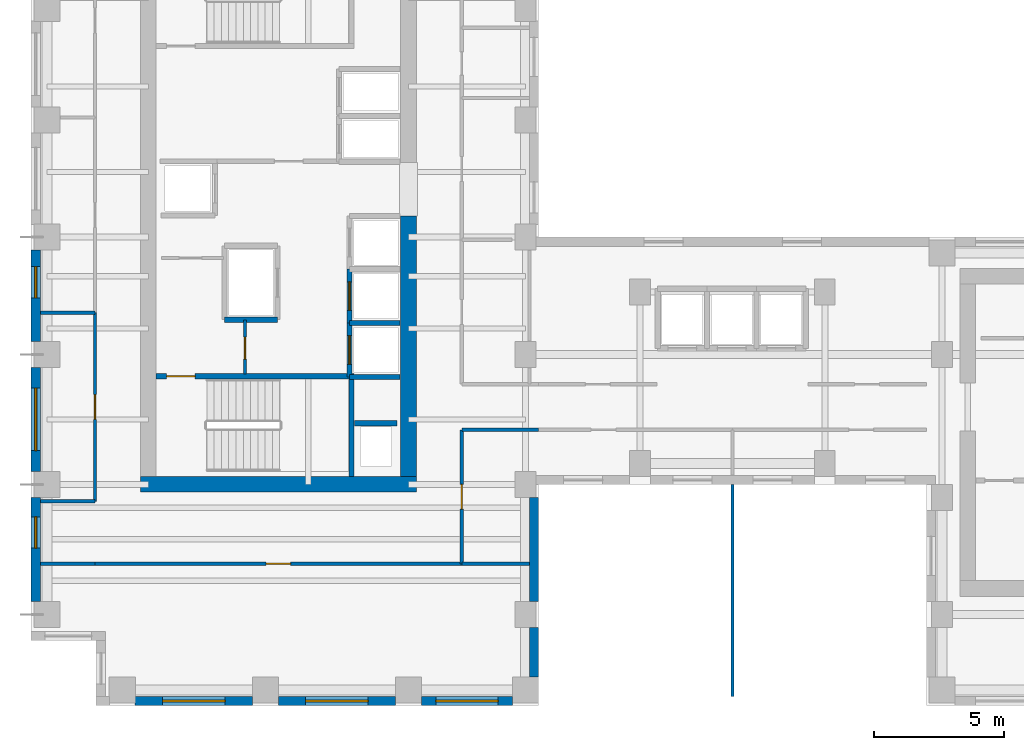
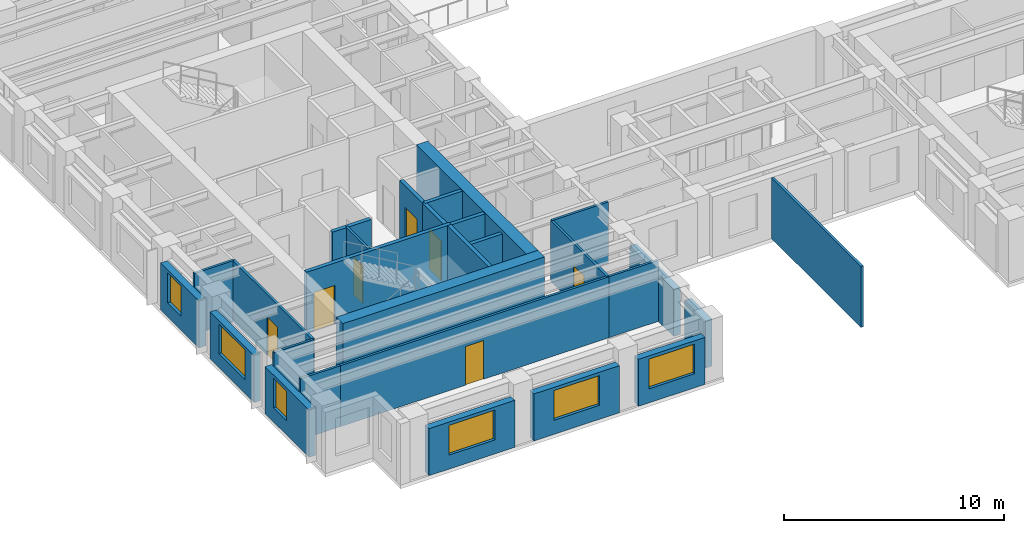
# One storey, part 3 of 11: 28 walls, 7 doors, 6 windows, 13 openings.
"""IFC4 building model written with IfcOpenShell, lengths in metres."""

from ifc_helpers import new_model, si_unit, direction, frame, frame_2d, origin, place, context, subcontext, project, spatial, rectangle, extrude, source, transform, mapped, material, layer, layer_set, type_object, element, fill, save


model = new_model("IFC4")

# Units and contexts
model_context = context("Model", 3, precision=1e-05, world=origin(), true_north=direction((0.0, 1.0)))
body_context = subcontext(model_context, "Body", "Model", "MODEL_VIEW")
ifc_project = project(units=[si_unit("LENGTHUNIT", "METRE"), si_unit("AREAUNIT", "SQUARE_METRE"), si_unit("VOLUMEUNIT", "CUBIC_METRE"), si_unit("PLANEANGLEUNIT", "RADIAN"), si_unit("MASSUNIT", "GRAM", prefix="KILO")], contexts=[model_context])

# Site, building, storey
site_placement = place(None, origin())
site = spatial("IfcSite", under=ifc_project, at=site_placement, CompositionType="ELEMENT")
building_placement = place(site_placement, origin())
building = spatial("IfcBuilding", under=site, at=building_placement, Name="Kharzan Plaza Tower", CompositionType="ELEMENT")
storey_placement = place(building_placement, frame((0.0, 0.0, 171.89990234375)))
storey = spatial("IfcBuildingStorey", under=building, at=storey_placement, Name="L46", CompositionType="ELEMENT", Elevation=171.89990234375)

# Wall, opening, window
ifc_material_1 = material(Name="Concrete C40/50", Category="concrete")
ifc_layer_1 = layer(ifc_material_1, 0.35009765625)
ifc_layer_set_1 = layer_set([ifc_layer_1], Name="Concrete C40/50")
wall_type_1 = type_object("IfcWallType", Name="WL-EXT-MAS-Z3", PredefinedType="SOLIDWALL", material=ifc_layer_set_1)
wall_1_placement = place(storey_placement, frame((0.175048828125, 17.501953125, 0.0), z_axis=(0.0, 0.0, 1.0), x_axis=(0.0, -1.0, 0.0)))
wall_1 = element("IfcWall", 1, at=wall_1_placement, inside=storey, type_object=wall_type_1, Name="L46 Masonry-Frame Exterior Wall 15", PredefinedType="SOLIDWALL", context=body_context, shape_type="SweptSolid", body=[
    extrude(rectangle(XDim=3.50390625, YDim=0.35009765625, at=frame_2d((1.751953125, 0.0))), origin(), (0.0, 0.0, 1.0), 2.612060546875),
])
opening_1_placement = place(wall_1_placement, frame((0.635986328125, 0.0, 0.780029296875)))
opening_1 = element("IfcOpeningElement", 2, at=opening_1_placement, cuts=wall_1, Name="Opening W3", PredefinedType="OPENING", context=body_context, shape_type="SweptSolid", body=[
    extrude(rectangle(XDim=1.199951171875, YDim=1.652099609375, at=frame_2d((0.60009765625, 0.826171875))), frame((0.0, 0.18505859375, 0.0), z_axis=(0.0, -1.0, 0.0), x_axis=(1.0, 0.0, 0.0)), (0.0, 0.0, 1.0), 0.3701171875),
])
ifc_material_2 = material(Name="Low-E Double Glazing", Category="glass")
window_type_1 = type_object("IfcWindowType", Name="WN-REC-1200x2100", PartitioningType="SINGLE_PANEL", PredefinedType="WINDOW", material=ifc_material_2)
shared_shape_1 = source(origin(), body_context, "Body", "SweptSolid", [
    extrude(rectangle(XDim=1.199951171875, YDim=1.652099609375, at=frame_2d((0.60009765625, 0.826171875))), frame((0.0, 0.030029296875, 0.0), z_axis=(0.0, -1.0, 0.0), x_axis=(1.0, 0.0, 0.0)), (0.0, 0.0, 1.0), 0.06005859375),
])
window_1_placement = place(opening_1_placement, origin())
window_1 = element("IfcWindow", 3, at=window_1_placement, inside=storey, type_object=window_type_1, Name="L46 Recessed Solar-Control Window 15-1", OverallHeight=1.652099609375, OverallWidth=1.199951171875, PartitioningType="SINGLE_PANEL", PredefinedType="WINDOW", context=body_context, shape_type="MappedRepresentation", body=[
    mapped(shared_shape_1, transform((0.0, 0.0, 0.0), x_axis=(1.0, 0.0, 0.0), y_axis=(0.0, 1.0, 0.0), z_axis=(0.0, 0.0, 1.0))),
])
fill(opening_1, window_1)

wall_2_placement = place(storey_placement, frame((0.175048828125, 13.001953125, 0.0), z_axis=(0.0, 0.0, 1.0), x_axis=(0.0, -1.0, 0.0)))
wall_2 = element("IfcWall", 4, at=wall_2_placement, inside=storey, type_object=wall_type_1, Name="L46 Masonry-Frame Exterior Wall 16", PredefinedType="SOLIDWALL", context=body_context, shape_type="SweptSolid", body=[
    extrude(rectangle(XDim=4.00390625, YDim=0.35009765625, at=frame_2d((2.001953125, 0.0))), origin(), (0.0, 0.0, 1.0), 2.612060546875),
])
opening_2_placement = place(wall_2_placement, frame((0.802001953125, 0.0, 0.780029296875)))
opening_2 = element("IfcOpeningElement", 5, at=opening_2_placement, cuts=wall_2, Name="Opening W2", PredefinedType="OPENING", context=body_context, shape_type="SweptSolid", body=[
    extrude(rectangle(XDim=2.39990234375, YDim=1.652099609375, at=frame_2d((1.199951171875, 0.826171875))), frame((0.0, 0.18505859375, 0.0), z_axis=(0.0, -1.0, 0.0), x_axis=(1.0, 0.0, 0.0)), (0.0, 0.0, 1.0), 0.3701171875),
])
window_type_2 = type_object("IfcWindowType", Name="WN-REC-2400x2100", PartitioningType="SINGLE_PANEL", PredefinedType="WINDOW", material=ifc_material_2)
shared_shape_2 = source(origin(), body_context, "Body", "SweptSolid", [
    extrude(rectangle(XDim=2.39990234375, YDim=1.652099609375, at=frame_2d((1.199951171875, 0.826171875))), frame((0.0, 0.030029296875, 0.0), z_axis=(0.0, -1.0, 0.0), x_axis=(1.0, 0.0, 0.0)), (0.0, 0.0, 1.0), 0.06005859375),
])
window_2_placement = place(opening_2_placement, origin())
window_2 = element("IfcWindow", 6, at=window_2_placement, inside=storey, type_object=window_type_2, Name="L46 Wide Recessed Solar-Control Window 16-1", OverallHeight=1.652099609375, OverallWidth=2.39990234375, PartitioningType="SINGLE_PANEL", PredefinedType="WINDOW", context=body_context, shape_type="MappedRepresentation", body=[
    mapped(shared_shape_2, transform((0.0, 0.0, 0.0), x_axis=(1.0, 0.0, 0.0), y_axis=(0.0, 1.0, 0.0), z_axis=(0.0, 0.0, 1.0))),
])
fill(opening_2, window_2)

wall_3_placement = place(storey_placement, frame((0.175048828125, 8.001953125, 0.0), z_axis=(0.0, 0.0, 1.0), x_axis=(0.0, -1.0, 0.0)))
wall_3 = element("IfcWall", 7, at=wall_3_placement, inside=storey, type_object=wall_type_1, Name="L46 Masonry-Frame Exterior Wall 17", PredefinedType="SOLIDWALL", context=body_context, shape_type="SweptSolid", body=[
    extrude(rectangle(XDim=4.00390625, YDim=0.35009765625, at=frame_2d((2.001953125, 0.0))), origin(), (0.0, 0.0, 1.0), 2.612060546875),
])
opening_3_placement = place(wall_3_placement, frame((0.751953125, 0.0, 0.780029296875)))
opening_3 = element("IfcOpeningElement", 8, at=opening_3_placement, cuts=wall_3, Name="Opening W3", PredefinedType="OPENING", context=body_context, shape_type="SweptSolid", body=[
    extrude(rectangle(XDim=1.199951171875, YDim=1.652099609375, at=frame_2d((0.60009765625, 0.826171875))), frame((0.0, 0.18505859375, 0.0), z_axis=(0.0, -1.0, 0.0), x_axis=(1.0, 0.0, 0.0)), (0.0, 0.0, 1.0), 0.3701171875),
])
window_3_placement = place(opening_3_placement, origin())
window_3 = element("IfcWindow", 9, at=window_3_placement, inside=storey, type_object=window_type_1, Name="L46 Recessed Solar-Control Window 17-1", OverallHeight=1.652099609375, OverallWidth=1.199951171875, PartitioningType="SINGLE_PANEL", PredefinedType="WINDOW", context=body_context, shape_type="MappedRepresentation", body=[
    mapped(shared_shape_1, transform((0.0, 0.0, 0.0), x_axis=(1.0, 0.0, 0.0), y_axis=(0.0, 1.0, 0.0), z_axis=(0.0, 0.0, 1.0))),
])
fill(opening_3, window_3)

wall_4_placement = place(storey_placement, frame((3.998046875, 0.175048828125, 0.0), z_axis=(0.0, 0.0, 1.0), x_axis=(1.0, 0.0, 0.0)))
wall_4 = element("IfcWall", 10, at=wall_4_placement, inside=storey, type_object=wall_type_1, Name="L46 Masonry-Frame Exterior Wall 21", PredefinedType="SOLIDWALL", context=body_context, shape_type="SweptSolid", body=[
    extrude(rectangle(XDim=4.50390625, YDim=0.35009765625, at=frame_2d((2.251953125, 0.0))), origin(), (0.0, 0.0, 1.0), 2.612060546875),
])
opening_4_placement = place(wall_4_placement, frame((1.052001953125, 0.0, 0.780029296875)))
opening_4 = element("IfcOpeningElement", 11, at=opening_4_placement, cuts=wall_4, Name="Opening W2", PredefinedType="OPENING", context=body_context, shape_type="SweptSolid", body=[
    extrude(rectangle(XDim=2.39990234375, YDim=1.652099609375, at=frame_2d((1.199951171875, 0.826171875))), frame((0.0, 0.18505859375, 0.0), z_axis=(0.0, -1.0, 0.0), x_axis=(1.0, 0.0, 0.0)), (0.0, 0.0, 1.0), 0.3701171875),
])
window_4_placement = place(opening_4_placement, origin())
window_4 = element("IfcWindow", 12, at=window_4_placement, inside=storey, type_object=window_type_2, Name="L46 Wide Recessed Solar-Control Window 21-1", OverallHeight=1.652099609375, OverallWidth=2.39990234375, PartitioningType="SINGLE_PANEL", PredefinedType="WINDOW", context=body_context, shape_type="MappedRepresentation", body=[
    mapped(shared_shape_2, transform((0.0, 0.0, 0.0), x_axis=(1.0, 0.0, 0.0), y_axis=(0.0, 1.0, 0.0), z_axis=(0.0, 0.0, 1.0))),
])
fill(opening_4, window_4)

wall_5_placement = place(storey_placement, frame((9.498046875, 0.175048828125, 0.0), z_axis=(0.0, 0.0, 1.0), x_axis=(1.0, 0.0, 0.0)))
wall_5 = element("IfcWall", 13, at=wall_5_placement, inside=storey, type_object=wall_type_1, Name="L46 Masonry-Frame Exterior Wall 22", PredefinedType="SOLIDWALL", context=body_context, shape_type="SweptSolid", body=[
    extrude(rectangle(XDim=4.50390625, YDim=0.35009765625, at=frame_2d((2.251953125, 0.0))), origin(), (0.0, 0.0, 1.0), 2.612060546875),
])
opening_5_placement = place(wall_5_placement, frame((1.052001953125, 0.0, 0.780029296875)))
opening_5 = element("IfcOpeningElement", 14, at=opening_5_placement, cuts=wall_5, Name="Opening W2", PredefinedType="OPENING", context=body_context, shape_type="SweptSolid", body=[
    extrude(rectangle(XDim=2.39990234375, YDim=1.652099609375, at=frame_2d((1.199951171875, 0.826171875))), frame((0.0, 0.18505859375, 0.0), z_axis=(0.0, -1.0, 0.0), x_axis=(1.0, 0.0, 0.0)), (0.0, 0.0, 1.0), 0.3701171875),
])
window_5_placement = place(opening_5_placement, origin())
window_5 = element("IfcWindow", 15, at=window_5_placement, inside=storey, type_object=window_type_2, Name="L46 Wide Recessed Solar-Control Window 22-1", OverallHeight=1.652099609375, OverallWidth=2.39990234375, PartitioningType="SINGLE_PANEL", PredefinedType="WINDOW", context=body_context, shape_type="MappedRepresentation", body=[
    mapped(shared_shape_2, transform((0.0, 0.0, 0.0), x_axis=(1.0, 0.0, 0.0), y_axis=(0.0, 1.0, 0.0), z_axis=(0.0, 0.0, 1.0))),
])
fill(opening_5, window_5)

wall_6_placement = place(storey_placement, frame((14.998046875, 0.175048828125, 0.0), z_axis=(0.0, 0.0, 1.0), x_axis=(1.0, 0.0, 0.0)))
wall_6 = element("IfcWall", 16, at=wall_6_placement, inside=storey, type_object=wall_type_1, Name="L46 Masonry-Frame Exterior Wall 23", PredefinedType="SOLIDWALL", context=body_context, shape_type="SweptSolid", body=[
    extrude(rectangle(XDim=3.50390625, YDim=0.35009765625, at=frame_2d((1.751953125, 0.0))), origin(), (0.0, 0.0, 1.0), 2.612060546875),
])
opening_6_placement = place(wall_6_placement, frame((0.552001953125, 0.0, 0.780029296875)))
opening_6 = element("IfcOpeningElement", 17, at=opening_6_placement, cuts=wall_6, Name="Opening W2", PredefinedType="OPENING", context=body_context, shape_type="SweptSolid", body=[
    extrude(rectangle(XDim=2.39990234375, YDim=1.652099609375, at=frame_2d((1.199951171875, 0.826171875))), frame((0.0, 0.18505859375, 0.0), z_axis=(0.0, -1.0, 0.0), x_axis=(1.0, 0.0, 0.0)), (0.0, 0.0, 1.0), 0.3701171875),
])
window_6_placement = place(opening_6_placement, origin())
window_6 = element("IfcWindow", 18, at=window_6_placement, inside=storey, type_object=window_type_2, Name="L46 Wide Recessed Solar-Control Window 23-1", OverallHeight=1.652099609375, OverallWidth=2.39990234375, PartitioningType="SINGLE_PANEL", PredefinedType="WINDOW", context=body_context, shape_type="MappedRepresentation", body=[
    mapped(shared_shape_2, transform((0.0, 0.0, 0.0), x_axis=(1.0, 0.0, 0.0), y_axis=(0.0, 1.0, 0.0), z_axis=(0.0, 0.0, 1.0))),
])
fill(opening_6, window_6)

# Wall, opening, door
ifc_material_3 = material(Name="Fire-Rated Gypsum Board Partition", Category="gypsum")
ifc_layer_2 = layer(ifc_material_3, 0.125)
ifc_layer_set_2 = layer_set([ifc_layer_2], Name="Fire-Rated Gypsum Board Partition")
wall_type_2 = type_object("IfcWallType", Name="WL-INT-PART-125", PredefinedType="PARTITIONING", material=ifc_layer_set_2)
wall_7_placement = place(storey_placement, frame((8.219970703125, 12.75, 0.0), z_axis=(0.0, 0.0, 1.0), x_axis=(0.0, 1.0, 0.0)))
wall_7 = element("IfcWall", 19, at=wall_7_placement, inside=storey, type_object=wall_type_2, Name="L46 Interior Partition CA-K1E", PredefinedType="PARTITIONING", context=body_context, shape_type="SweptSolid", body=[
    extrude(rectangle(XDim=2.070068359375, YDim=0.125, at=frame_2d((1.03515625, 0.0))), origin(), (0.0, 0.0, 1.0), 3.385009765625),
])
opening_7_placement = place(wall_7_placement, frame((0.56005859375, 0.0, 0.0)))
opening_7 = element("IfcOpeningElement", 20, at=opening_7_placement, cuts=wall_7, Name="Opening RD1", PredefinedType="OPENING", context=body_context, shape_type="SweptSolid", body=[
    extrude(rectangle(XDim=0.85009765625, YDim=2.10009765625, at=frame_2d((0.425048828125, 1.050048828125))), frame((0.0, 0.072509765625, 0.0), z_axis=(0.0, -1.0, 0.0), x_axis=(1.0, 0.0, 0.0)), (0.0, 0.0, 1.0), 0.14501953125),
])
ifc_material_4 = material(Name="Powder-Coated Fire-Rated Steel", Category="steel")
door_type_1 = type_object("IfcDoorType", Name="DR-RISER-900", OperationType="NOTDEFINED", PredefinedType="DOOR", material=ifc_material_4)
shared_shape_3 = source(origin(), body_context, "Body", "SweptSolid", [
    extrude(rectangle(XDim=0.85009765625, YDim=2.10009765625, at=frame_2d((0.425048828125, 1.050048828125))), frame((0.0, 0.02490234375, 0.0), z_axis=(0.0, -1.0, 0.0), x_axis=(1.0, 0.0, 0.0)), (0.0, 0.0, 1.0), 0.050048828125),
])
door_1_placement = place(opening_7_placement, origin())
door_1 = element("IfcDoor", 21, at=door_1_placement, inside=storey, type_object=door_type_1, Name="L46 Core Service Store Door", OperationType="SINGLE_SWING_LEFT", OverallHeight=2.10009765625, OverallWidth=0.85009765625, PredefinedType="DOOR", context=body_context, shape_type="MappedRepresentation", body=[
    mapped(shared_shape_3, transform((0.0, 0.0, 0.0), x_axis=(1.0, 0.0, 0.0), y_axis=(0.0, 1.0, 0.0), z_axis=(0.0, 0.0, 1.0))),
])
fill(opening_7, door_1)

wall_8_placement = place(storey_placement, frame((16.550048828125, 5.449951171875, 0.0), z_axis=(0.0, 0.0, 1.0), x_axis=(0.0, 1.0, 0.0)))
wall_8 = element("IfcWall", 22, at=wall_8_placement, inside=storey, type_object=wall_type_2, Name="L46 Interior Partition SH-AEWS", PredefinedType="PARTITIONING", context=body_context, shape_type="SweptSolid", body=[
    extrude(rectangle(XDim=5.150146484375, YDim=0.125, at=frame_2d((2.5751953125, 0.0))), origin(), (0.0, 0.0, 1.0), 3.385009765625),
])
opening_8_placement = place(wall_8_placement, frame((2.10009765625, 0.0, 0.0)))
opening_8 = element("IfcOpeningElement", 23, at=opening_8_placement, cuts=wall_8, Name="Opening OD1", PredefinedType="OPENING", context=body_context, shape_type="SweptSolid", body=[
    extrude(rectangle(XDim=0.949951171875, YDim=2.14990234375, at=frame_2d((0.47509765625, 1.074951171875))), frame((0.0, 0.072509765625, 0.0), z_axis=(0.0, -1.0, 0.0), x_axis=(1.0, 0.0, 0.0)), (0.0, 0.0, 1.0), 0.14501953125),
])
ifc_material_5 = material(Name="Acoustic Solid-Core Stained Oak", Category="timber")
door_type_2 = type_object("IfcDoorType", Name="DR-OFF-SINGLE", OperationType="NOTDEFINED", PredefinedType="DOOR", material=ifc_material_5)
shared_shape_4 = source(origin(), body_context, "Body", "SweptSolid", [
    extrude(rectangle(XDim=0.949951171875, YDim=2.14990234375, at=frame_2d((0.47509765625, 1.074951171875))), frame((0.0, 0.02490234375, 0.0), z_axis=(0.0, -1.0, 0.0), x_axis=(1.0, 0.0, 0.0)), (0.0, 0.0, 1.0), 0.050048828125),
])
door_2_placement = place(opening_8_placement, origin())
door_2 = element("IfcDoor", 24, at=door_2_placement, inside=storey, type_object=door_type_2, Name="L46 Slot South Office Door", OperationType="SINGLE_SWING_LEFT", OverallHeight=2.14990234375, OverallWidth=0.949951171875, PredefinedType="DOOR", context=body_context, shape_type="MappedRepresentation", body=[
    mapped(shared_shape_4, transform((0.0, 0.0, 0.0), x_axis=(1.0, 0.0, 0.0), y_axis=(0.0, 1.0, 0.0), z_axis=(0.0, 0.0, 1.0))),
])
fill(opening_8, door_2)

wall_9_placement = place(storey_placement, frame((2.449951171875, 5.449951171875, 0.0), z_axis=(0.0, 0.0, 1.0), x_axis=(1.0, 0.0, 0.0)))
wall_9 = element("IfcWall", 25, at=wall_9_placement, inside=storey, type_object=wall_type_2, Name="L46 Interior Partition SH-SS-1", PredefinedType="PARTITIONING", context=body_context, shape_type="SweptSolid", body=[
    extrude(rectangle(XDim=14.10009765625, YDim=0.125, at=frame_2d((7.050048828125, 0.0))), origin(), (0.0, 0.0, 1.0), 3.385009765625),
])
opening_9_placement = place(wall_9_placement, frame((6.574951171875, 0.0, 0.0)))
opening_9 = element("IfcOpeningElement", 26, at=opening_9_placement, cuts=wall_9, Name="Opening OD1", PredefinedType="OPENING", context=body_context, shape_type="SweptSolid", body=[
    extrude(rectangle(XDim=0.949951171875, YDim=2.14990234375, at=frame_2d((0.47509765625, 1.074951171875))), frame((0.0, 0.072509765625, 0.0), z_axis=(0.0, -1.0, 0.0), x_axis=(1.0, 0.0, 0.0)), (0.0, 0.0, 1.0), 0.14501953125),
])
door_3_placement = place(opening_9_placement, origin())
door_3 = element("IfcDoor", 27, at=door_3_placement, inside=storey, type_object=door_type_2, Name="L46 Staff Tea Pantry Door", OperationType="SINGLE_SWING_RIGHT", OverallHeight=2.14990234375, OverallWidth=0.949951171875, PredefinedType="DOOR", context=body_context, shape_type="MappedRepresentation", body=[
    mapped(shared_shape_4, transform((0.0, 0.0, 0.0), x_axis=(1.0, 0.0, 0.0), y_axis=(0.0, 1.0, 0.0), z_axis=(0.0, 0.0, 1.0))),
])
fill(opening_9, door_3)

wall_10_placement = place(storey_placement, frame((2.449951171875, 7.85009765625, 0.0), z_axis=(0.0, 0.0, 1.0), x_axis=(0.0, 1.0, 0.0)))
wall_10 = element("IfcWall", 28, at=wall_10_placement, inside=storey, type_object=wall_type_2, Name="L46 Interior Partition SH-WW-1", PredefinedType="PARTITIONING", context=body_context, shape_type="SweptSolid", body=[
    extrude(rectangle(XDim=7.25, YDim=0.125, at=frame_2d((3.625, 0.0))), origin(), (0.0, 0.0, 1.0), 3.385009765625),
])
opening_10_placement = place(wall_10_placement, frame((3.14990234375, 0.0, 0.0)))
opening_10 = element("IfcOpeningElement", 29, at=opening_10_placement, cuts=wall_10, Name="Opening OD1", PredefinedType="OPENING", context=body_context, shape_type="SweptSolid", body=[
    extrude(rectangle(XDim=0.949951171875, YDim=2.14990234375, at=frame_2d((0.47509765625, 1.074951171875))), frame((0.0, 0.072509765625, 0.0), z_axis=(0.0, -1.0, 0.0), x_axis=(1.0, 0.0, 0.0)), (0.0, 0.0, 1.0), 0.14501953125),
])
door_4_placement = place(opening_10_placement, origin())
door_4 = element("IfcDoor", 30, at=door_4_placement, inside=storey, type_object=door_type_2, Name="L46 Client Briefing Room Door", OperationType="SINGLE_SWING_LEFT", OverallHeight=2.14990234375, OverallWidth=0.949951171875, PredefinedType="DOOR", context=body_context, shape_type="MappedRepresentation", body=[
    mapped(shared_shape_4, transform((0.0, 0.0, 0.0), x_axis=(1.0, 0.0, 0.0), y_axis=(0.0, 1.0, 0.0), z_axis=(0.0, 0.0, 1.0))),
])
fill(opening_10, door_4)

ifc_layer_3 = layer(ifc_material_1, 0.199951171875)
ifc_layer_set_3 = layer_set([ifc_layer_3], Name="Concrete C40/50")
wall_type_3 = type_object("IfcWallType", Name="WL-INT-SHAFT-200", PredefinedType="PARTITIONING", material=ifc_layer_set_3)
wall_11_placement = place(storey_placement, frame((12.22998046875, 12.6298828125, 0.0), z_axis=(0.0, 0.0, 1.0), x_axis=(0.0, 1.0, 0.0)))
wall_11 = element("IfcWall", 31, at=wall_11_placement, inside=storey, type_object=wall_type_3, Name="L46 Interior Partition SHF-PL-H1-W", PredefinedType="PARTITIONING", context=body_context, shape_type="SweptSolid", body=[
    extrude(rectangle(XDim=2.070068359375, YDim=0.199951171875, at=frame_2d((1.03515625, 0.0))), origin(), (0.0, 0.0, 1.0), 3.385009765625),
])
opening_11_placement = place(wall_11_placement, frame((0.485107421875, 0.0, 0.0)))
opening_11 = element("IfcOpeningElement", 32, at=opening_11_placement, cuts=wall_11, Name="Opening LD", PredefinedType="OPENING", context=body_context, shape_type="SweptSolid", body=[
    extrude(rectangle(XDim=1.10009765625, YDim=2.199951171875, at=frame_2d((0.550048828125, 1.10009765625))), frame((0.0, 0.10986328125, 0.0), z_axis=(0.0, -1.0, 0.0), x_axis=(1.0, 0.0, 0.0)), (0.0, 0.0, 1.0), 0.219970703125),
])
ifc_material_6 = material(Name="Brushed Stainless Steel", Category="steel")
door_type_3 = type_object("IfcDoorType", Name="DR-LIFT-SLIDE", OperationType="SLIDING_TO_LEFT", PredefinedType="DOOR", material=ifc_material_6)
shared_shape_5 = source(origin(), body_context, "Body", "SweptSolid", [
    extrude(rectangle(XDim=1.10009765625, YDim=2.199951171875, at=frame_2d((0.550048828125, 1.10009765625))), frame((0.0, 0.02490234375, 0.0), z_axis=(0.0, -1.0, 0.0), x_axis=(1.0, 0.0, 0.0)), (0.0, 0.0, 1.0), 0.050048828125),
])
door_5_placement = place(opening_11_placement, origin())
door_5 = element("IfcDoor", 33, at=door_5_placement, inside=storey, type_object=door_type_3, Name="L46 High-Rise Passenger Lift PL-H1 Sliding Landing Door", OperationType="SLIDING_TO_LEFT", OverallHeight=2.199951171875, OverallWidth=1.10009765625, PredefinedType="DOOR", context=body_context, shape_type="MappedRepresentation", body=[
    mapped(shared_shape_5, transform((0.0, 0.0, 0.0), x_axis=(1.0, 0.0, 0.0), y_axis=(0.0, 1.0, 0.0), z_axis=(0.0, 0.0, 1.0))),
])
fill(opening_11, door_5)

wall_12_placement = place(storey_placement, frame((12.22998046875, 14.699951171875, 0.0), z_axis=(0.0, 0.0, 1.0), x_axis=(0.0, 1.0, 0.0)))
wall_12 = element("IfcWall", 34, at=wall_12_placement, inside=storey, type_object=wall_type_3, Name="L46 Interior Partition SHF-PL-H2-W", PredefinedType="PARTITIONING", context=body_context, shape_type="SweptSolid", body=[
    extrude(rectangle(XDim=2.070068359375, YDim=0.199951171875, at=frame_2d((1.03515625, 0.0))), origin(), (0.0, 0.0, 1.0), 3.385009765625),
])
opening_12_placement = place(wall_12_placement, frame((0.485107421875, 0.0, 0.0)))
opening_12 = element("IfcOpeningElement", 35, at=opening_12_placement, cuts=wall_12, Name="Opening LD", PredefinedType="OPENING", context=body_context, shape_type="SweptSolid", body=[
    extrude(rectangle(XDim=1.10009765625, YDim=2.199951171875, at=frame_2d((0.550048828125, 1.10009765625))), frame((0.0, 0.10986328125, 0.0), z_axis=(0.0, -1.0, 0.0), x_axis=(1.0, 0.0, 0.0)), (0.0, 0.0, 1.0), 0.219970703125),
])
door_6_placement = place(opening_12_placement, origin())
door_6 = element("IfcDoor", 36, at=door_6_placement, inside=storey, type_object=door_type_3, Name="L46 High-Rise Passenger Lift PL-H2 Sliding Landing Door", OperationType="SLIDING_TO_LEFT", OverallHeight=2.199951171875, OverallWidth=1.10009765625, PredefinedType="DOOR", context=body_context, shape_type="MappedRepresentation", body=[
    mapped(shared_shape_5, transform((0.0, 0.0, 0.0), x_axis=(1.0, 0.0, 0.0), y_axis=(0.0, 1.0, 0.0), z_axis=(0.0, 0.0, 1.0))),
])
fill(opening_12, door_6)

ifc_material_7 = material(Name="Concrete C50/60", Category="concrete")
ifc_layer_4 = layer(ifc_material_7, 0.199951171875)
ifc_layer_set_4 = layer_set([ifc_layer_4], Name="Concrete C50/60")
wall_type_4 = type_object("IfcWallType", Name="WL-SHAFT-RC200", PredefinedType="SHEAR", material=ifc_layer_set_4)
wall_13_placement = place(storey_placement, frame((4.802001953125, 12.655029296875, 0.0), z_axis=(0.0, 0.0, 1.0), x_axis=(1.0, 0.0, 0.0)))
wall_13 = element("IfcWall", 37, at=wall_13_placement, inside=storey, type_object=wall_type_4, Name="L46 Stair ST-1 North RC Shaft Wall", PredefinedType="SHEAR", context=body_context, shape_type="SweptSolid", body=[
    extrude(rectangle(XDim=7.60302734375, YDim=0.199951171875, at=frame_2d((3.801513671875, 0.0))), origin(), (0.0, 0.0, 1.0), 3.400146484375),
])
opening_13_placement = place(wall_13_placement, frame((0.39990234375, 0.0, 0.0)))
opening_13 = element("IfcOpeningElement", 38, at=opening_13_placement, cuts=wall_13, Name="Opening SD1", PredefinedType="OPENING", context=body_context, shape_type="SweptSolid", body=[
    extrude(rectangle(XDim=1.10009765625, YDim=2.14990234375, at=frame_2d((0.550048828125, 1.074951171875))), frame((0.0, 0.10986328125, 0.0), z_axis=(0.0, -1.0, 0.0), x_axis=(1.0, 0.0, 0.0)), (0.0, 0.0, 1.0), 0.219970703125),
])
ifc_material_8 = material(Name="Fire-Rated Hollow Galvanized Steel", Category="steel")
door_type_4 = type_object("IfcDoorType", Name="DR-STAIR-FD120", OperationType="NOTDEFINED", PredefinedType="DOOR", material=ifc_material_8)
shared_shape_6 = source(origin(), body_context, "Body", "SweptSolid", [
    extrude(rectangle(XDim=1.10009765625, YDim=2.14990234375, at=frame_2d((0.550048828125, 1.074951171875))), frame((0.0, 0.02490234375, 0.0), z_axis=(0.0, -1.0, 0.0), x_axis=(1.0, 0.0, 0.0)), (0.0, 0.0, 1.0), 0.050048828125),
])
door_7_placement = place(opening_13_placement, origin())
door_7 = element("IfcDoor", 39, at=door_7_placement, inside=storey, type_object=door_type_4, Name="L46 Stair ST-1 Fire Exit Door", OperationType="SINGLE_SWING_LEFT", OverallHeight=2.14990234375, OverallWidth=1.10009765625, PredefinedType="DOOR", context=body_context, shape_type="MappedRepresentation", body=[
    mapped(shared_shape_6, transform((0.0, 0.0, 0.0), x_axis=(1.0, 0.0, 0.0), y_axis=(0.0, 1.0, 0.0), z_axis=(0.0, 0.0, 1.0))),
])
fill(opening_13, door_7)

# Walls
shared_shape_7 = source(origin(), body_context, "Body", "SweptSolid", [
    extrude(rectangle(XDim=2.097900390625, YDim=0.125, at=frame_2d((1.048828125, 0.0))), origin(), (0.0, 0.0, 1.0), 3.385009765625),
])
for number, where, z_axis, x_axis, name in (
    (40, (0.35205078125, 7.85009765625, 0.0), (0.0, 0.0, 1.0), (1.0, 0.0, 0.0), "L46 Interior Partition SH-RWS0"),
    (41, (0.35205078125, 5.449951171875, 0.0), (0.0, 0.0, 1.0), (1.0, 0.0, 0.0), "L46 Interior Partition SH-SS-EXT"),
    (42, (0.35205078125, 15.10009765625, 0.0), (0.0, 0.0, 1.0), (1.0, 0.0, 0.0), "L46 Interior Partition SH-WH-1"),
):
    element("IfcWall", number, at=place(storey_placement, frame(where, z_axis=z_axis, x_axis=x_axis)), inside=storey, type_object=wall_type_2, Name=name, PredefinedType="PARTITIONING", context=body_context, shape_type="MappedRepresentation", body=[
        mapped(shared_shape_7, transform((0.0, 0.0, 0.0), x_axis=(1.0, 0.0, 0.0), y_axis=(0.0, 1.0, 0.0), z_axis=(0.0, 0.0, 1.0))),
    ])
shared_shape_8 = source(origin(), body_context, "Body", "SweptSolid", [
    extrude(rectangle(XDim=1.630126953125, YDim=0.199951171875, at=frame_2d((0.81494140625, 0.0))), origin(), (0.0, 0.0, 1.0), 3.385009765625),
])
wall_14_placement = place(storey_placement, frame((12.419921875, 10.85009765625, 0.0), z_axis=(0.0, 0.0, 1.0), x_axis=(1.0, 0.0, 0.0)))
element("IfcWall", 43, at=wall_14_placement, inside=storey, type_object=wall_type_3, Name="L46 Interior Partition CA-RSRA-N", PredefinedType="PARTITIONING", context=body_context, shape_type="MappedRepresentation", body=[
    mapped(shared_shape_8, transform((0.0, 0.0, 0.0), x_axis=(1.0, 0.0, 0.0), y_axis=(0.0, 1.0, 0.0), z_axis=(0.0, 0.0, 1.0))),
])
shared_shape_9 = source(origin(), body_context, "Body", "SweptSolid", [
    extrude(rectangle(XDim=1.93994140625, YDim=0.199951171875, at=frame_2d((0.969970703125, 0.0))), origin(), (0.0, 0.0, 1.0), 3.385009765625),
])
for number, where, z_axis, x_axis, name in (
    (44, (12.22998046875, 14.699951171875, 0.0), (0.0, 0.0, 1.0), (1.0, 0.0, 0.0), "L46 Interior Partition SHF-PL-H1-N"),
    (45, (12.22998046875, 12.6298828125, 0.0), (0.0, 0.0, 1.0), (1.0, 0.0, 0.0), "L46 Interior Partition SHF-PL-H1-S"),
):
    element("IfcWall", number, at=place(storey_placement, frame(where, z_axis=z_axis, x_axis=x_axis)), inside=storey, type_object=wall_type_3, Name=name, PredefinedType="PARTITIONING", context=body_context, shape_type="MappedRepresentation", body=[
        mapped(shared_shape_9, transform((0.0, 0.0, 0.0), x_axis=(1.0, 0.0, 0.0), y_axis=(0.0, 1.0, 0.0), z_axis=(0.0, 0.0, 1.0))),
    ])
shared_shape_10 = source(origin(), body_context, "Body", "SweptSolid", [
    extrude(rectangle(XDim=2.0400390625, YDim=0.199951171875, at=frame_2d((1.02001953125, 0.0))), origin(), (0.0, 0.0, 1.0), 3.385009765625),
])
wall_15_placement = place(storey_placement, frame((7.429931640625, 14.830078125, 0.0), z_axis=(0.0, 0.0, 1.0), x_axis=(1.0, 0.0, 0.0)))
element("IfcWall", 46, at=wall_15_placement, inside=storey, type_object=wall_type_3, Name="L46 Interior Partition SHF-SVL-1-S", PredefinedType="PARTITIONING", context=body_context, shape_type="MappedRepresentation", body=[
    mapped(shared_shape_10, transform((0.0, 0.0, 0.0), x_axis=(1.0, 0.0, 0.0), y_axis=(0.0, 1.0, 0.0), z_axis=(0.0, 0.0, 1.0))),
])
ifc_layer_5 = layer(ifc_material_7, 0.60009765625)
ifc_layer_set_5 = layer_set([ifc_layer_5], Name="Concrete C50/60")
wall_type_5 = type_object("IfcWallType", Name="WL-CORE-600", PredefinedType="SHEAR", material=ifc_layer_set_5)
shared_shape_11 = source(origin(), body_context, "Body", "SweptSolid", [
    extrude(rectangle(XDim=10.02001953125, YDim=0.60009765625, at=frame_2d((5.010009765625, 0.0))), origin(), (0.0, 0.0, 1.0), 3.400146484375),
])
wall_16_placement = place(storey_placement, frame((14.5, 8.800048828125, 0.0), z_axis=(0.0, 0.0, 1.0), x_axis=(0.0, 1.0, 0.0)))
element("IfcWall", 47, at=wall_16_placement, inside=storey, type_object=wall_type_5, Name="L46 CORE-A east shear pier 1", PredefinedType="SHEAR", context=body_context, shape_type="MappedRepresentation", body=[
    mapped(shared_shape_11, transform((0.0, 0.0, 0.0), x_axis=(1.0, 0.0, 0.0), y_axis=(0.0, 1.0, 0.0), z_axis=(0.0, 0.0, 1.0))),
])
shared_shape_12 = source(origin(), body_context, "Body", "SweptSolid", [
    extrude(rectangle(XDim=10.60009765625, YDim=0.60009765625, at=frame_2d((5.300048828125, 0.0))), origin(), (0.0, 0.0, 1.0), 3.400146484375),
])
wall_17_placement = place(storey_placement, frame((4.199951171875, 8.5, 0.0), z_axis=(0.0, 0.0, 1.0), x_axis=(1.0, 0.0, 0.0)))
element("IfcWall", 48, at=wall_17_placement, inside=storey, type_object=wall_type_5, Name="L46 CORE-A south RC shear wall", PredefinedType="SHEAR", context=body_context, shape_type="MappedRepresentation", body=[
    mapped(shared_shape_12, transform((0.0, 0.0, 0.0), x_axis=(1.0, 0.0, 0.0), y_axis=(0.0, 1.0, 0.0), z_axis=(0.0, 0.0, 1.0))),
])
shared_shape_13 = source(origin(), body_context, "Body", "SweptSolid", [
    extrude(rectangle(XDim=1.904052734375, YDim=0.35009765625, at=frame_2d((0.9521484375, 0.0))), origin(), (0.0, 0.0, 1.0), 2.612060546875),
])
wall_18_placement = place(storey_placement, frame((19.324951171875, 1.097900390625, 0.0), z_axis=(0.0, 0.0, 1.0), x_axis=(0.0, 1.0, 0.0)))
element("IfcWall", 49, at=wall_18_placement, inside=storey, type_object=wall_type_1, Name="L46 Masonry-Frame Exterior Wall 24", PredefinedType="SOLIDWALL", context=body_context, shape_type="MappedRepresentation", body=[
    mapped(shared_shape_13, transform((0.0, 0.0, 0.0), x_axis=(1.0, 0.0, 0.0), y_axis=(0.0, 1.0, 0.0), z_axis=(0.0, 0.0, 1.0))),
])
shared_shape_14 = source(origin(), body_context, "Body", "SweptSolid", [
    extrude(rectangle(XDim=2.597900390625, YDim=0.125, at=frame_2d((1.298828125, 0.0))), origin(), (0.0, 0.0, 1.0), 3.385009765625),
])
wall_19_placement = place(storey_placement, frame((16.550048828125, 5.449951171875, 0.0), z_axis=(0.0, 0.0, 1.0), x_axis=(1.0, 0.0, 0.0)))
element("IfcWall", 50, at=wall_19_placement, inside=storey, type_object=wall_type_2, Name="L46 Interior Partition SH-SSE-1", PredefinedType="PARTITIONING", context=body_context, shape_type="MappedRepresentation", body=[
    mapped(shared_shape_14, transform((0.0, 0.0, 0.0), x_axis=(1.0, 0.0, 0.0), y_axis=(0.0, 1.0, 0.0), z_axis=(0.0, 0.0, 1.0))),
])
shared_shape_15 = source(origin(), body_context, "Body", "SweptSolid", [
    extrude(rectangle(XDim=2.949951171875, YDim=0.125, at=frame_2d((1.47509765625, 0.0))), origin(), (0.0, 0.0, 1.0), 3.385009765625),
])
wall_20_placement = place(storey_placement, frame((16.550048828125, 10.60009765625, 0.0), z_axis=(0.0, 0.0, 1.0), x_axis=(1.0, 0.0, 0.0)))
element("IfcWall", 51, at=wall_20_placement, inside=storey, type_object=wall_type_2, Name="L46 Interior Partition SH-SPS0", PredefinedType="PARTITIONING", context=body_context, shape_type="MappedRepresentation", body=[
    mapped(shared_shape_15, transform((0.0, 0.0, 0.0), x_axis=(1.0, 0.0, 0.0), y_axis=(0.0, 1.0, 0.0), z_axis=(0.0, 0.0, 1.0))),
])
shared_shape_16 = source(origin(), body_context, "Body", "SweptSolid", [
    extrude(rectangle(XDim=3.7529296875, YDim=0.199951171875, at=frame_2d((1.87646484375, 0.0))), origin(), (0.0, 0.0, 1.0), 3.400146484375),
])
wall_21_placement = place(storey_placement, frame((12.304931640625, 8.802001953125, 0.0), z_axis=(0.0, 0.0, 1.0), x_axis=(0.0, 1.0, 0.0)))
element("IfcWall", 52, at=wall_21_placement, inside=storey, type_object=wall_type_4, Name="L46 Stair ST-1 East RC Shaft Wall", PredefinedType="SHEAR", context=body_context, shape_type="MappedRepresentation", body=[
    mapped(shared_shape_16, transform((0.0, 0.0, 0.0), x_axis=(1.0, 0.0, 0.0), y_axis=(0.0, 1.0, 0.0), z_axis=(0.0, 0.0, 1.0))),
])
shared_shape_17 = source(origin(), body_context, "Body", "SweptSolid", [
    extrude(rectangle(XDim=4.00390625, YDim=0.35009765625, at=frame_2d((2.001953125, 0.0))), origin(), (0.0, 0.0, 1.0), 2.612060546875),
])
wall_22_placement = place(storey_placement, frame((19.324951171875, 3.998046875, 0.0), z_axis=(0.0, 0.0, 1.0), x_axis=(0.0, 1.0, 0.0)))
element("IfcWall", 53, at=wall_22_placement, inside=storey, type_object=wall_type_1, Name="L46 Masonry-Frame Exterior Wall 25", PredefinedType="SOLIDWALL", context=body_context, shape_type="MappedRepresentation", body=[
    mapped(shared_shape_17, transform((0.0, 0.0, 0.0), x_axis=(1.0, 0.0, 0.0), y_axis=(0.0, 1.0, 0.0), z_axis=(0.0, 0.0, 1.0))),
])
shared_shape_18 = source(origin(), body_context, "Body", "SweptSolid", [
    extrude(rectangle(XDim=8.14794921875, YDim=0.125, at=frame_2d((4.073974609375, 0.0))), origin(), (0.0, 0.0, 1.0), 3.385009765625),
])
wall_23_placement = place(storey_placement, frame((26.949951171875, 0.35009765625, 0.0), z_axis=(0.0, 0.0, 1.0), x_axis=(0.0, 1.0, 0.0)))
element("IfcWall", 54, at=wall_23_placement, inside=storey, type_object=wall_type_2, Name="L46 Interior Partition SH-SPSV1-S1", PredefinedType="PARTITIONING", context=body_context, shape_type="MappedRepresentation", body=[
    mapped(shared_shape_18, transform((0.0, 0.0, 0.0), x_axis=(1.0, 0.0, 0.0), y_axis=(0.0, 1.0, 0.0), z_axis=(0.0, 0.0, 1.0))),
])

save(model, "model.ifc")
